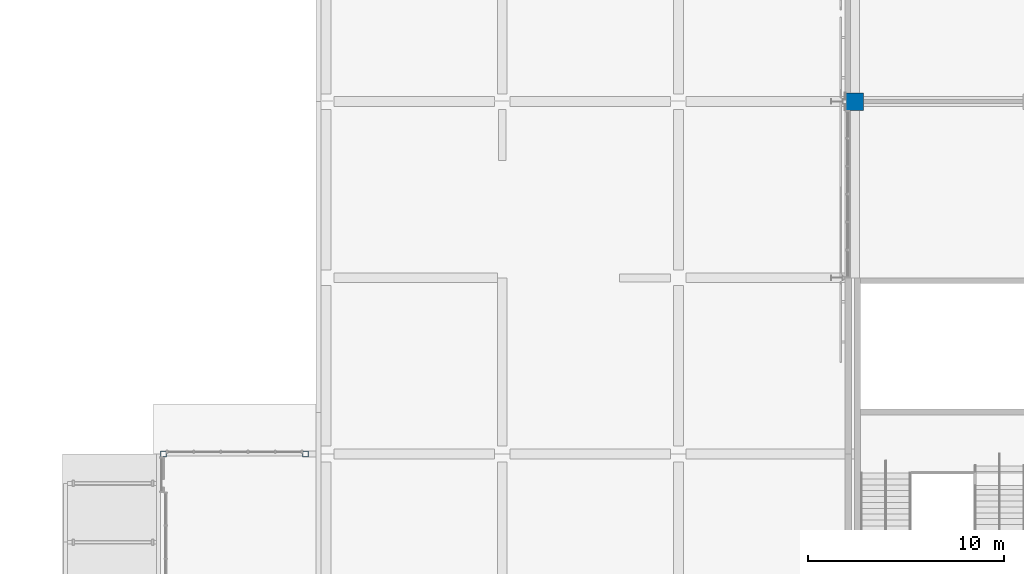
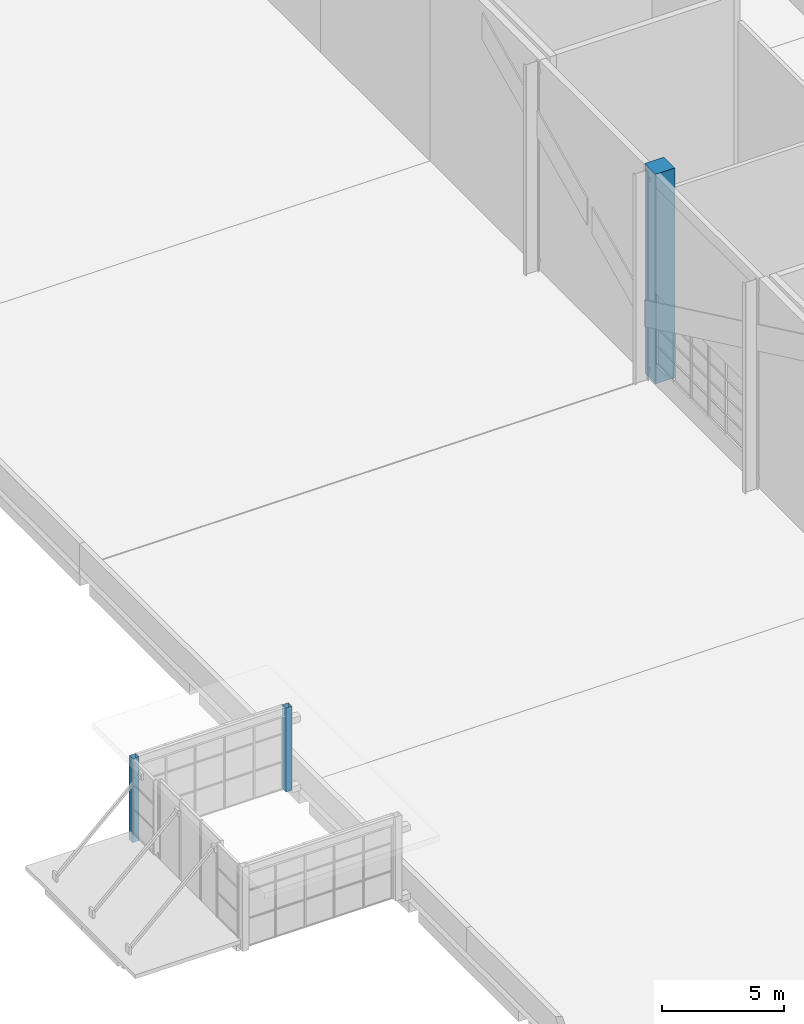
# One storey, part 5 of 182: 3 columns.
"""IFC4 building model written with IfcOpenShell, lengths in metres."""

from ifc_helpers import new_model, si_unit, direction, frame, origin, origin_2d, place, context, subcontext, project, spatial, rectangle, hollow_rectangle, extrude, material, material_profile, profile_set, type_object, element, save


model = new_model("IFC4")

# Units and contexts
model_context = context("Model", 3, precision=1e-05, world=origin(), true_north=direction((0.0, 1.0)))
body_context = subcontext(model_context, "Body", "Model", "MODEL_VIEW")
ifc_project = project(units=[si_unit("LENGTHUNIT", "METRE"), si_unit("AREAUNIT", "SQUARE_METRE"), si_unit("VOLUMEUNIT", "CUBIC_METRE"), si_unit("PLANEANGLEUNIT", "RADIAN"), si_unit("MASSUNIT", "GRAM", prefix="KILO")], contexts=[model_context])

# Site, building, storey
site_placement = place(None, origin())
site = spatial("IfcSite", under=ifc_project, at=site_placement, CompositionType="ELEMENT")
building_placement = place(site_placement, origin())
building = spatial("IfcBuilding", under=site, at=building_placement, Name="Silverbay Arena", CompositionType="ELEMENT")
storey_placement = place(building_placement, frame((0.0, 0.0, 11.5)))
storey = spatial("IfcBuildingStorey", under=building, at=storey_placement, Name="L02", CompositionType="ELEMENT", Elevation=11.5)

# Columns
ifc_material_1 = material(Name="Steel S355", Category="steel")
ifc_material_profile_1 = material_profile(ifc_material_1, hollow_rectangle(XDim=0.300048828125, YDim=0.300048828125, WallThickness=0.012451171875, at=origin_2d()), Name="SHS 300x300x12.5")
ifc_profile_set_1 = profile_set([ifc_material_profile_1], Name="Steel S355")
column_type_1 = type_object("IfcColumnType", Name="Hall column SHS 300x300x12.5", PredefinedType="COLUMN", material=ifc_profile_set_1)
for number, where, z_axis, x_axis, name in (
    (1, (18.699951171875, 63.0, 0.0), (0.0, 0.0, 1.0), (1.0, 0.0, 0.0), "West entrance hall W0 column F2"),
    (2, (25.949951171875, 63.0, 0.0), (0.0, 0.0, 1.0), (1.0, 0.0, 0.0), "West entrance hall W0 column B2"),
):
    element("IfcColumn", number, at=place(storey_placement, frame(where, z_axis=z_axis, x_axis=x_axis)), inside=storey, type_object=column_type_1, Name=name, PredefinedType="COLUMN", context=body_context, shape_type="SweptSolid", body=[
        extrude(hollow_rectangle(XDim=0.300048828125, YDim=0.300048828125, WallThickness=0.012451171875, at=origin_2d()), origin(), (0.0, 0.0, 1.0), 4.199951171875),
    ])
ifc_material_2 = material(Name="Concrete Grade C45", Category="concrete")
ifc_material_profile_2 = material_profile(ifc_material_2, rectangle(XDim=0.89990234375, YDim=0.89990234375, at=origin_2d()), Name="RC 900x900")
ifc_profile_set_2 = profile_set([ifc_material_profile_2], Name="Concrete Grade C45")
column_type_2 = type_object("IfcColumnType", Name="RC column 900x900", PredefinedType="COLUMN", material=ifc_profile_set_2)
column_placement = place(storey_placement, frame((54.0, 81.0, 0.0), z_axis=(0.0, 0.0, 1.0), x_axis=(1.0, 0.0, 0.0)))
element("IfcColumn", 3, at=column_placement, inside=storey, type_object=column_type_2, Name="Column 7/K L02", PredefinedType="COLUMN", context=body_context, shape_type="SweptSolid", body=[
    extrude(rectangle(XDim=0.89990234375, YDim=0.89990234375, at=origin_2d()), origin(), (0.0, 0.0, 1.0), 10.5),
])

save(model, "model.ifc")
